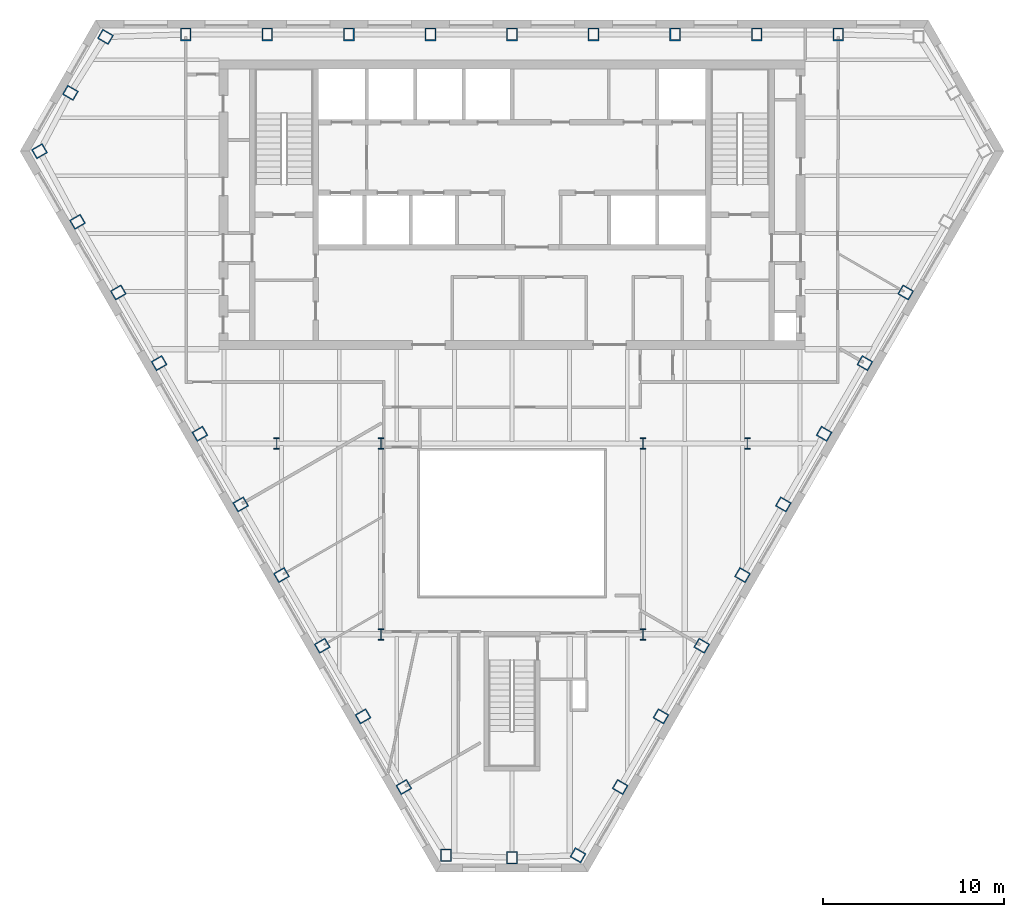
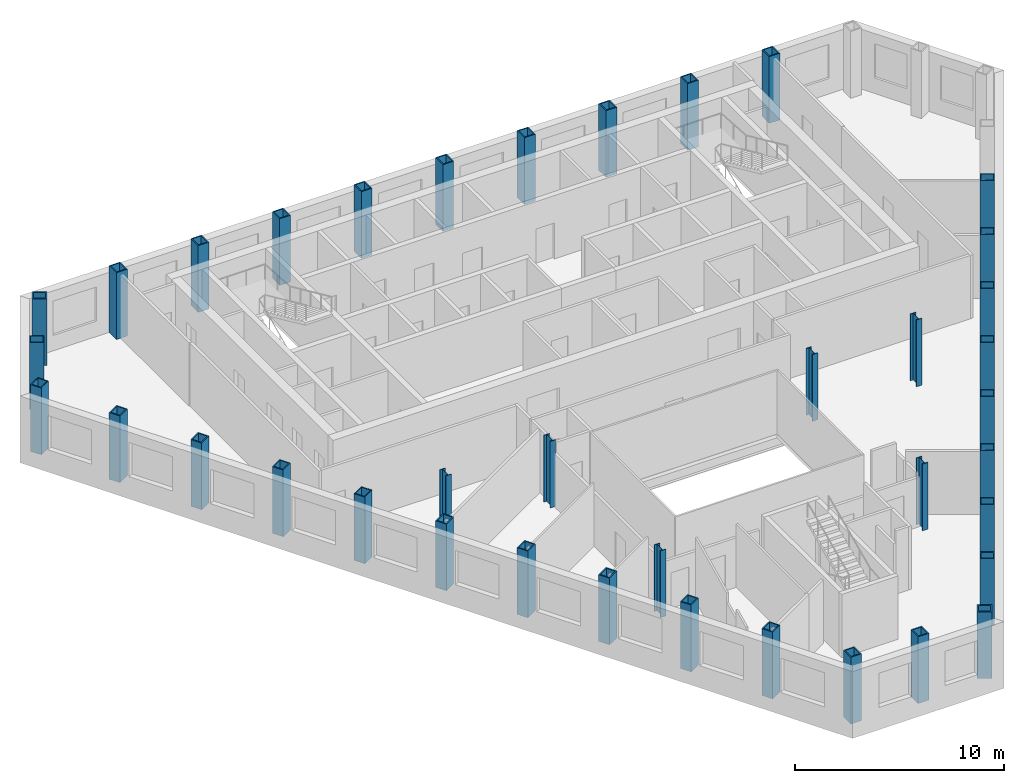
# One storey, part 1 of 10: 38 columns.
"""IFC4 building model written with IfcOpenShell, lengths in metres."""

from ifc_helpers import new_model, si_unit, direction, frame, origin, origin_2d, place, context, subcontext, project, spatial, hollow_rectangle, i_section, extrude, material, material_profile, profile_set, type_object, element, save


model = new_model("IFC4")

# Units and contexts
model_context = context("Model", 3, precision=1e-05, world=origin(), true_north=direction((0.0, 1.0)))
body_context = subcontext(model_context, "Body", "Model", "MODEL_VIEW")
ifc_project = project(units=[si_unit("LENGTHUNIT", "METRE"), si_unit("AREAUNIT", "SQUARE_METRE"), si_unit("VOLUMEUNIT", "CUBIC_METRE"), si_unit("PLANEANGLEUNIT", "RADIAN"), si_unit("MASSUNIT", "GRAM", prefix="KILO")], contexts=[model_context])

# Site, building, storey
site_placement = place(None, origin())
site = spatial("IfcSite", under=ifc_project, at=site_placement, CompositionType="ELEMENT")
building_placement = place(site_placement, origin())
building = spatial("IfcBuilding", under=site, at=building_placement, Name="Njiva Tower", CompositionType="ELEMENT")
storey_placement = place(building_placement, frame((0.0, 0.0, 167.1)))
storey = spatial("IfcBuildingStorey", under=building, at=storey_placement, Name="L36", CompositionType="ELEMENT", Elevation=167.1)

# Columns
ifc_material = material(Name="Steel S355 J2", Category="steel")
ifc_material_profile_1 = material_profile(ifc_material, i_section(OverallWidth=0.305, OverallDepth=0.62, WebThickness=0.021, FlangeThickness=0.04, at=origin_2d()), Name="HEM 600")
ifc_profile_set_1 = profile_set([ifc_material_profile_1], Name="Steel S355 J2")
column_type_1 = type_object("IfcColumnType", Name="C10 Interior column HEM 600", PredefinedType="COLUMN", material=ifc_profile_set_1)
for number, where, z_axis, x_axis, name in (
    (1, (7.24, -3.2, 0.0), (0.0, 0.0, 1.0), (1.0, 0.0, 0.0), "Interior column S12-C37"),
    (2, (-7.24, -3.2, 0.0), (0.0, 0.0, 1.0), (1.0, 0.0, 0.0), "Interior column S12-C38"),
    (3, (7.24, -13.75, 0.0), (0.0, 0.0, 1.0), (1.0, 0.0, 0.0), "Interior column S12-C39"),
    (4, (-7.24, -13.75, 0.0), (0.0, 0.0, 1.0), (1.0, 0.0, 0.0), "Interior column S12-C40"),
    (5, (13.0, -3.2, 0.0), (0.0, 0.0, 1.0), (1.0, 0.0, 0.0), "Interior column S12-C41"),
    (6, (-13.0, -3.2, 0.0), (0.0, 0.0, 1.0), (1.0, 0.0, 0.0), "Interior column S12-C42"),
):
    element("IfcColumn", number, at=place(storey_placement, frame(where, z_axis=z_axis, x_axis=x_axis)), inside=storey, type_object=column_type_1, Name=name, PredefinedType="COLUMN", context=body_context, shape_type="SweptSolid", body=[
        extrude(i_section(OverallWidth=0.305, OverallDepth=0.62, WebThickness=0.021, FlangeThickness=0.04, at=origin_2d()), origin(), (0.0, 0.0, 1.0), 3.9),
    ])
ifc_material_profile_2 = material_profile(ifc_material, hollow_rectangle(XDim=0.6, YDim=0.7, WallThickness=0.06, at=origin_2d()), Name="BOX 700x600x60")
ifc_profile_set_2 = profile_set([ifc_material_profile_2], Name="Steel S355 J2")
column_type_2 = type_object("IfcColumnType", Name="C9 Perimeter tube column BOX 700x600x60", PredefinedType="COLUMN", material=ifc_profile_set_2)
for number, where, z_axis, x_axis, name in (
    (7, (18.03, 19.4, 0.0), (0.0, 0.0, 1.0), (-1.0, 0.0, 0.0), "Perimeter tube column S12-C02"),
    (8, (13.523, 19.4, 0.0), (0.0, 0.0, 1.0), (-1.0, 0.0, 0.0), "Perimeter tube column S12-C03"),
    (9, (9.015, 19.4, 0.0), (0.0, 0.0, 1.0), (-1.0, 0.0, 0.0), "Perimeter tube column S12-C04"),
    (10, (4.508, 19.4, 0.0), (0.0, 0.0, 1.0), (-1.0, 0.0, 0.0), "Perimeter tube column S12-C05"),
    (11, (0.0, 19.4, 0.0), (0.0, 0.0, 1.0), (-1.0, 0.0, 0.0), "Perimeter tube column S12-C06"),
    (12, (-4.508, 19.4, 0.0), (0.0, 0.0, 1.0), (-1.0, 0.0, 0.0), "Perimeter tube column S12-C07"),
    (13, (-9.015, 19.4, 0.0), (0.0, 0.0, 1.0), (-1.0, 0.0, 0.0), "Perimeter tube column S12-C08"),
    (14, (-13.523, 19.4, 0.0), (0.0, 0.0, 1.0), (-1.0, 0.0, 0.0), "Perimeter tube column S12-C09"),
    (15, (-18.03, 19.4, 0.0), (0.0, 0.0, 1.0), (-1.0, 0.0, 0.0), "Perimeter tube column S12-C10"),
    (16, (-22.461, 19.267, 0.0), (0.0, 0.0, 1.0), (-0.5, -0.866025403784, 0.0), "Perimeter tube column S12-C11"),
    (17, (-24.4, 16.176, 0.0), (0.0, 0.0, 1.0), (-0.5, -0.866025403784, 0.0), "Perimeter tube column S12-C12"),
    (18, (-26.108, 12.951, 0.0), (0.0, 0.0, 1.0), (0.5, -0.866025403784, 0.0), "Perimeter tube column S12-C13"),
    (19, (-24.007, 9.048, 0.0), (0.0, 0.0, 1.0), (0.5, -0.866025403784, 0.0), "Perimeter tube column S12-C14"),
    (20, (-21.754, 5.144, 0.0), (0.0, 0.0, 1.0), (0.5, -0.866025403784, 0.0), "Perimeter tube column S12-C15"),
    (21, (-19.5, 1.24, 0.0), (0.0, 0.0, 1.0), (0.5, -0.866025403784, 0.0), "Perimeter tube column S12-C16"),
    (22, (-17.246, -2.664, 0.0), (0.0, 0.0, 1.0), (0.5, -0.866025403784, 0.0), "Perimeter tube column S12-C17"),
    (23, (-14.992, -6.567, 0.0), (0.0, 0.0, 1.0), (0.5, -0.866025403784, 0.0), "Perimeter tube column S12-C18"),
    (24, (-12.738, -10.471, 0.0), (0.0, 0.0, 1.0), (0.5, -0.866025403784, 0.0), "Perimeter tube column S12-C19"),
    (25, (-10.485, -14.375, 0.0), (0.0, 0.0, 1.0), (0.5, -0.866025403784, 0.0), "Perimeter tube column S12-C20"),
    (26, (-8.231, -18.278, 0.0), (0.0, 0.0, 1.0), (0.5, -0.866025403784, 0.0), "Perimeter tube column S12-C21"),
    (27, (-5.977, -22.182, 0.0), (0.0, 0.0, 1.0), (0.5, -0.866025403784, 0.0), "Perimeter tube column S12-C22"),
    (28, (-3.646, -25.953, 0.0), (0.0, 0.0, 1.0), (1.0, 0.0, 0.0), "Perimeter tube column S12-C23"),
    (29, (0.0, -26.086, 0.0), (0.0, 0.0, 1.0), (1.0, 0.0, 0.0), "Perimeter tube column S12-C24"),
    (30, (3.646, -25.953, 0.0), (0.0, 0.0, 1.0), (0.5, 0.866025403784, 0.0), "Perimeter tube column S12-C25"),
    (31, (5.977, -22.182, 0.0), (0.0, 0.0, 1.0), (0.5, 0.866025403784, 0.0), "Perimeter tube column S12-C26"),
    (32, (8.231, -18.278, 0.0), (0.0, 0.0, 1.0), (0.5, 0.866025403784, 0.0), "Perimeter tube column S12-C27"),
    (33, (10.485, -14.375, 0.0), (0.0, 0.0, 1.0), (0.5, 0.866025403784, 0.0), "Perimeter tube column S12-C28"),
    (34, (12.738, -10.471, 0.0), (0.0, 0.0, 1.0), (0.5, 0.866025403784, 0.0), "Perimeter tube column S12-C29"),
    (35, (14.992, -6.567, 0.0), (0.0, 0.0, 1.0), (0.5, 0.866025403784, 0.0), "Perimeter tube column S12-C30"),
    (36, (17.246, -2.664, 0.0), (0.0, 0.0, 1.0), (0.5, 0.866025403784, 0.0), "Perimeter tube column S12-C31"),
    (37, (19.5, 1.24, 0.0), (0.0, 0.0, 1.0), (0.5, 0.866025403784, 0.0), "Perimeter tube column S12-C32"),
    (38, (21.754, 5.144, 0.0), (0.0, 0.0, 1.0), (0.5, 0.866025403784, 0.0), "Perimeter tube column S12-C33"),
):
    element("IfcColumn", number, at=place(storey_placement, frame(where, z_axis=z_axis, x_axis=x_axis)), inside=storey, type_object=column_type_2, Name=name, PredefinedType="COLUMN", context=body_context, shape_type="SweptSolid", body=[
        extrude(hollow_rectangle(XDim=0.6, YDim=0.7, WallThickness=0.06, at=origin_2d()), origin(), (0.0, 0.0, 1.0), 3.9),
    ])

save(model, "model.ifc")
